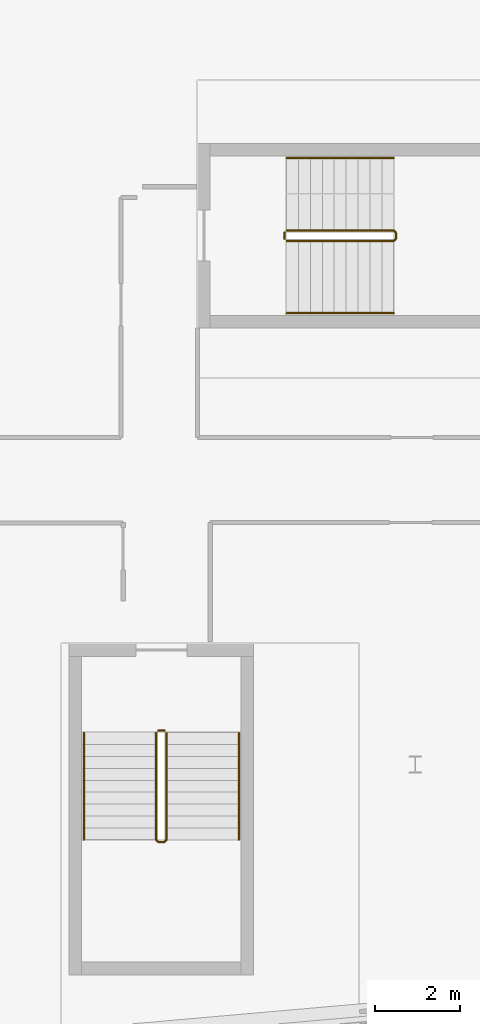
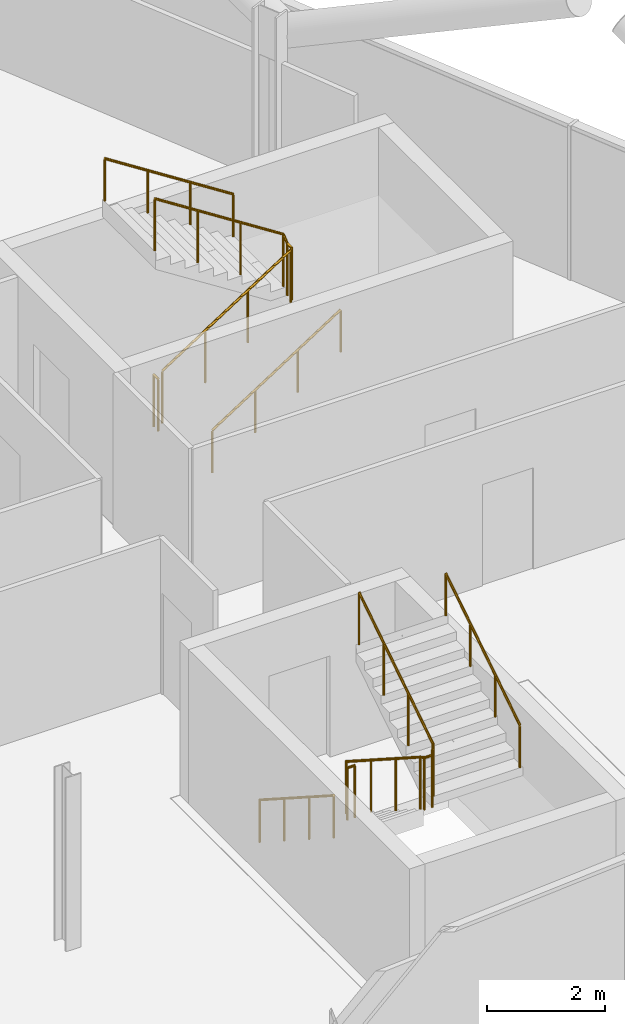
# One storey, part 26 of 27: 8 railings.
"""IFC4 building model written with IfcOpenShell, lengths in metres."""

from ifc_helpers import new_model, si_unit, direction, frame, origin, origin_2d, place, context, subcontext, project, spatial, circle, extrude, material, type_object, element, save


model = new_model("IFC4")

# Units and contexts
model_context = context("Model", 3, precision=1e-05, world=origin(), true_north=direction((0.0, 1.0)))
body_context = subcontext(model_context, "Body", "Model", "MODEL_VIEW")
ifc_project = project(units=[si_unit("LENGTHUNIT", "METRE"), si_unit("AREAUNIT", "SQUARE_METRE"), si_unit("VOLUMEUNIT", "CUBIC_METRE"), si_unit("PLANEANGLEUNIT", "RADIAN"), si_unit("MASSUNIT", "GRAM", prefix="KILO")], contexts=[model_context])

# Site, building, storey
site_placement = place(None, origin())
site = spatial("IfcSite", under=ifc_project, at=site_placement, CompositionType="ELEMENT")
building_placement = place(site_placement, origin())
building = spatial("IfcBuilding", under=site, at=building_placement, Name="Wharfspan Tower", CompositionType="ELEMENT")
storey_placement = place(building_placement, frame((0.0, 0.0, 210.699951)))
storey = spatial("IfcBuildingStorey", under=building, at=storey_placement, Name="L52", CompositionType="ELEMENT", Elevation=210.699951)

# Railings
ifc_material = material(Name="Steel S355J2", Category="steel")
railing_type_1 = type_object("IfcRailingType", Name="Stair guard 1100", PredefinedType="GUARDRAIL", material=ifc_material)
railing_1_placement = place(storey_placement, frame((65.893799, 12.246094, 0.179932)))
element("IfcRailing", 1, at=railing_1_placement, inside=storey, type_object=railing_type_1, Name="L52 ST5 stair guard 1", PredefinedType="GUARDRAIL", context=body_context, shape_type="SweptSolid", body=[
    extrude(circle(Radius=0.023926, at=origin_2d()), frame((0.0, 0.0, 1.076172), z_axis=(0.0, -0.841163, 0.540782), x_axis=(1.0, 0.0, 0.0)), (0.0, 0.0, 1.0), 2.99585),
    extrude(circle(Radius=0.023926, at=origin_2d()), frame((0.0, -2.52002, 2.696289), z_axis=(0.708834, -0.705376, 0.0), x_axis=(0.705376, 0.708834, 0.0)), (0.0, 0.0, 1.0), 0.070557),
    extrude(circle(Radius=0.023926, at=origin_2d()), frame((0.050049, -2.569824, 2.696289), z_axis=(1.0, 0.0, 0.0), x_axis=(0.0, 1.0, 0.0)), (0.0, 0.0, 1.0), 0.149902),
    extrude(circle(Radius=0.023926, at=origin_2d()), frame((0.199951, -2.569824, 2.696289), z_axis=(0.258932, 0.257669, 0.930892), x_axis=(-0.705372, 0.708833, -1e-06)), (0.0, 0.0, 1.0), 0.193359),
    extrude(circle(Radius=0.023926, at=origin_2d()), frame((0.25, -2.52002, 2.875977), z_axis=(0.0, 0.841163, 0.540782), x_axis=(-1.0, 0.0, 0.0)), (0.0, 0.0, 1.0), 2.99585),
    extrude(circle(Radius=0.020996, at=origin_2d()), origin(), (0.0, 0.0, 1.0), 1.052002),
    extrude(circle(Radius=0.020996, at=origin_2d()), frame((0.0, -0.840088, 0.540039)), (0.0, 0.0, 1.0), 1.052002),
    extrude(circle(Radius=0.020996, at=origin_2d()), frame((0.0, -1.679932, 1.080078)), (0.0, 0.0, 1.0), 1.052002),
    extrude(circle(Radius=0.020996, at=origin_2d()), frame((0.0, -2.52002, 1.620117)), (0.0, 0.0, 1.0), 1.052002),
    extrude(circle(Radius=0.020996, at=origin_2d()), frame((0.050049, -2.569824, 1.620117)), (0.0, 0.0, 1.0), 1.052002),
    extrude(circle(Radius=0.020996, at=origin_2d()), frame((0.199951, -2.569824, 1.620117)), (0.0, 0.0, 1.0), 1.052002),
    extrude(circle(Radius=0.020996, at=origin_2d()), frame((0.25, -2.52002, 1.800049)), (0.0, 0.0, 1.0), 1.052002),
    extrude(circle(Radius=0.020996, at=origin_2d()), frame((0.25, -1.679932, 2.340088)), (0.0, 0.0, 1.0), 1.052002),
    extrude(circle(Radius=0.020996, at=origin_2d()), frame((0.25, -0.840088, 2.880127)), (0.0, 0.0, 1.0), 1.052002),
    extrude(circle(Radius=0.020996, at=origin_2d()), frame((0.25, 0.0, 3.420166)), (0.0, 0.0, 1.0), 1.052002),
])
railing_2_placement = place(storey_placement, frame((65.943848, 12.296143, 0.0)))
element("IfcRailing", 2, at=railing_2_placement, inside=storey, type_object=railing_type_1, Name="L52 ST5 stair guard 2", PredefinedType="GUARDRAIL", context=body_context, shape_type="SweptSolid", body=[
    extrude(circle(Radius=0.023926, at=origin_2d()), frame((0.0, 0.0, 1.076172), z_axis=(1.0, 0.0, 0.0), x_axis=(0.0, 1.0, 0.0)), (0.0, 0.0, 1.0), 0.149902),
    extrude(circle(Radius=0.020996, at=origin_2d()), origin(), (0.0, 0.0, 1.0), 1.052002),
    extrude(circle(Radius=0.020996, at=origin_2d()), frame((0.149902, 0.0, 0.0)), (0.0, 0.0, 1.0), 1.052002),
])
railing_3_placement = place(storey_placement, frame((68.969482, 23.824951, 0.179932)))
element("IfcRailing", 3, at=railing_3_placement, inside=storey, type_object=railing_type_1, Name="L52 ST6 stair guard 1", PredefinedType="GUARDRAIL", context=body_context, shape_type="SweptSolid", body=[
    extrude(circle(Radius=0.023926, at=origin_2d()), frame((0.0, 0.0, 1.076172), z_axis=(0.841163, 0.0, 0.540782), x_axis=(0.0, 1.0, 0.0)), (0.0, 0.0, 1.0), 2.99585),
    extrude(circle(Radius=0.023926, at=origin_2d()), frame((2.52002, 0.0, 2.696289), z_axis=(0.707107, 0.707107, 0.0), x_axis=(-0.707107, 0.707107, 0.0)), (0.0, 0.0, 1.0), 0.070801),
    extrude(circle(Radius=0.023926, at=origin_2d()), frame((2.570068, 0.050049, 2.696289), z_axis=(0.0, 1.0, 0.0), x_axis=(-1.0, 0.0, 0.0)), (0.0, 0.0, 1.0), 0.149902),
    extrude(circle(Radius=0.023926, at=origin_2d()), frame((2.570068, 0.199951, 2.696289), z_axis=(-0.258848, 0.258848, 0.930589), x_axis=(-0.707107, -0.707107, 0.0)), (0.0, 0.0, 1.0), 0.193359),
    extrude(circle(Radius=0.023926, at=origin_2d()), frame((2.52002, 0.25, 2.875977), z_axis=(-0.841163, 0.0, 0.540782), x_axis=(0.0, -1.0, 0.0)), (0.0, 0.0, 1.0), 2.99585),
    extrude(circle(Radius=0.020996, at=origin_2d()), origin(), (0.0, 0.0, 1.0), 1.052002),
    extrude(circle(Radius=0.020996, at=origin_2d()), frame((0.840088, 0.0, 0.540039)), (0.0, 0.0, 1.0), 1.052002),
    extrude(circle(Radius=0.020996, at=origin_2d()), frame((1.679932, 0.0, 1.080078)), (0.0, 0.0, 1.0), 1.052002),
    extrude(circle(Radius=0.020996, at=origin_2d()), frame((2.52002, 0.0, 1.620117)), (0.0, 0.0, 1.0), 1.052002),
    extrude(circle(Radius=0.020996, at=origin_2d()), frame((2.570068, 0.050049, 1.620117)), (0.0, 0.0, 1.0), 1.052002),
    extrude(circle(Radius=0.020996, at=origin_2d()), frame((2.570068, 0.199951, 1.620117)), (0.0, 0.0, 1.0), 1.052002),
    extrude(circle(Radius=0.020996, at=origin_2d()), frame((2.52002, 0.25, 1.800049)), (0.0, 0.0, 1.0), 1.052002),
    extrude(circle(Radius=0.020996, at=origin_2d()), frame((1.679932, 0.25, 2.340088)), (0.0, 0.0, 1.0), 1.052002),
    extrude(circle(Radius=0.020996, at=origin_2d()), frame((0.840088, 0.25, 2.880127)), (0.0, 0.0, 1.0), 1.052002),
    extrude(circle(Radius=0.020996, at=origin_2d()), frame((0.0, 0.25, 3.420166)), (0.0, 0.0, 1.0), 1.052002),
])
railing_4_placement = place(storey_placement, frame((68.919678, 23.875, 0.0)))
element("IfcRailing", 4, at=railing_4_placement, inside=storey, type_object=railing_type_1, Name="L52 ST6 stair guard 2", PredefinedType="GUARDRAIL", context=body_context, shape_type="SweptSolid", body=[
    extrude(circle(Radius=0.023926, at=origin_2d()), frame((0.0, 0.0, 1.076172), z_axis=(0.0, 1.0, 0.0), x_axis=(-1.0, 0.0, 0.0)), (0.0, 0.0, 1.0), 0.149902),
    extrude(circle(Radius=0.020996, at=origin_2d()), origin(), (0.0, 0.0, 1.0), 1.052002),
    extrude(circle(Radius=0.020996, at=origin_2d()), frame((0.0, 0.149902, 0.0)), (0.0, 0.0, 1.0), 1.052002),
])
railing_type_2 = type_object("IfcRailingType", Name="Stair handrail 900", PredefinedType="HANDRAIL", material=ifc_material)
railing_5_placement = place(storey_placement, frame((64.193848, 12.246094, 0.179932)))
element("IfcRailing", 5, at=railing_5_placement, inside=storey, type_object=railing_type_2, Name="L52 ST5 stair handrail 1", PredefinedType="HANDRAIL", context=body_context, shape_type="SweptSolid", body=[
    extrude(circle(Radius=0.023926, at=origin_2d()), frame((0.0, 0.0, 0.875977), z_axis=(0.0, -0.841163, 0.540782), x_axis=(1.0, 0.0, 0.0)), (0.0, 0.0, 1.0), 2.99585),
    extrude(circle(Radius=0.020996, at=origin_2d()), origin(), (0.0, 0.0, 1.0), 0.851807),
    extrude(circle(Radius=0.020996, at=origin_2d()), frame((0.0, -0.840088, 0.540039)), (0.0, 0.0, 1.0), 0.851807),
    extrude(circle(Radius=0.020996, at=origin_2d()), frame((0.0, -1.679932, 1.080078)), (0.0, 0.0, 1.0), 0.851807),
    extrude(circle(Radius=0.020996, at=origin_2d()), frame((0.0, -2.52002, 1.620117)), (0.0, 0.0, 1.0), 0.851807),
])
railing_6_placement = place(storey_placement, frame((67.84375, 9.726074, 1.97998)))
element("IfcRailing", 6, at=railing_6_placement, inside=storey, type_object=railing_type_2, Name="L52 ST5 stair handrail 2", PredefinedType="HANDRAIL", context=body_context, shape_type="SweptSolid", body=[
    extrude(circle(Radius=0.023926, at=origin_2d()), frame((0.0, 0.0, 0.875977), z_axis=(0.0, 0.841163, 0.540782), x_axis=(-1.0, 0.0, 0.0)), (0.0, 0.0, 1.0), 2.99585),
    extrude(circle(Radius=0.020996, at=origin_2d()), origin(), (0.0, 0.0, 1.0), 0.851807),
    extrude(circle(Radius=0.020996, at=origin_2d()), frame((0.0, 0.840088, 0.540039)), (0.0, 0.0, 1.0), 0.851807),
    extrude(circle(Radius=0.020996, at=origin_2d()), frame((0.0, 1.679932, 1.080078)), (0.0, 0.0, 1.0), 0.851807),
    extrude(circle(Radius=0.020996, at=origin_2d()), frame((0.0, 2.52002, 1.620117)), (0.0, 0.0, 1.0), 0.851807),
])
railing_7_placement = place(storey_placement, frame((68.969482, 22.125, 0.179932)))
element("IfcRailing", 7, at=railing_7_placement, inside=storey, type_object=railing_type_2, Name="L52 ST6 stair handrail 1", PredefinedType="HANDRAIL", context=body_context, shape_type="SweptSolid", body=[
    extrude(circle(Radius=0.023926, at=origin_2d()), frame((0.0, 0.0, 0.875977), z_axis=(0.841163, 0.0, 0.540782), x_axis=(0.0, 1.0, 0.0)), (0.0, 0.0, 1.0), 2.99585),
    extrude(circle(Radius=0.020996, at=origin_2d()), origin(), (0.0, 0.0, 1.0), 0.851807),
    extrude(circle(Radius=0.020996, at=origin_2d()), frame((0.840088, 0.0, 0.540039)), (0.0, 0.0, 1.0), 0.851807),
    extrude(circle(Radius=0.020996, at=origin_2d()), frame((1.679932, 0.0, 1.080078)), (0.0, 0.0, 1.0), 0.851807),
    extrude(circle(Radius=0.020996, at=origin_2d()), frame((2.52002, 0.0, 1.620117)), (0.0, 0.0, 1.0), 0.851807),
])
railing_8_placement = place(storey_placement, frame((71.489502, 25.774902, 1.97998)))
element("IfcRailing", 8, at=railing_8_placement, inside=storey, type_object=railing_type_2, Name="L52 ST6 stair handrail 2", PredefinedType="HANDRAIL", context=body_context, shape_type="SweptSolid", body=[
    extrude(circle(Radius=0.023926, at=origin_2d()), frame((0.0, 0.0, 0.875977), z_axis=(-0.841163, 0.0, 0.540782), x_axis=(0.0, -1.0, 0.0)), (0.0, 0.0, 1.0), 2.99585),
    extrude(circle(Radius=0.020996, at=origin_2d()), origin(), (0.0, 0.0, 1.0), 0.851807),
    extrude(circle(Radius=0.020996, at=origin_2d()), frame((-0.840088, 0.0, 0.540039)), (0.0, 0.0, 1.0), 0.851807),
    extrude(circle(Radius=0.020996, at=origin_2d()), frame((-1.679932, 0.0, 1.080078)), (0.0, 0.0, 1.0), 0.851807),
    extrude(circle(Radius=0.020996, at=origin_2d()), frame((-2.52002, 0.0, 1.620117)), (0.0, 0.0, 1.0), 0.851807),
])

save(model, "model.ifc")
